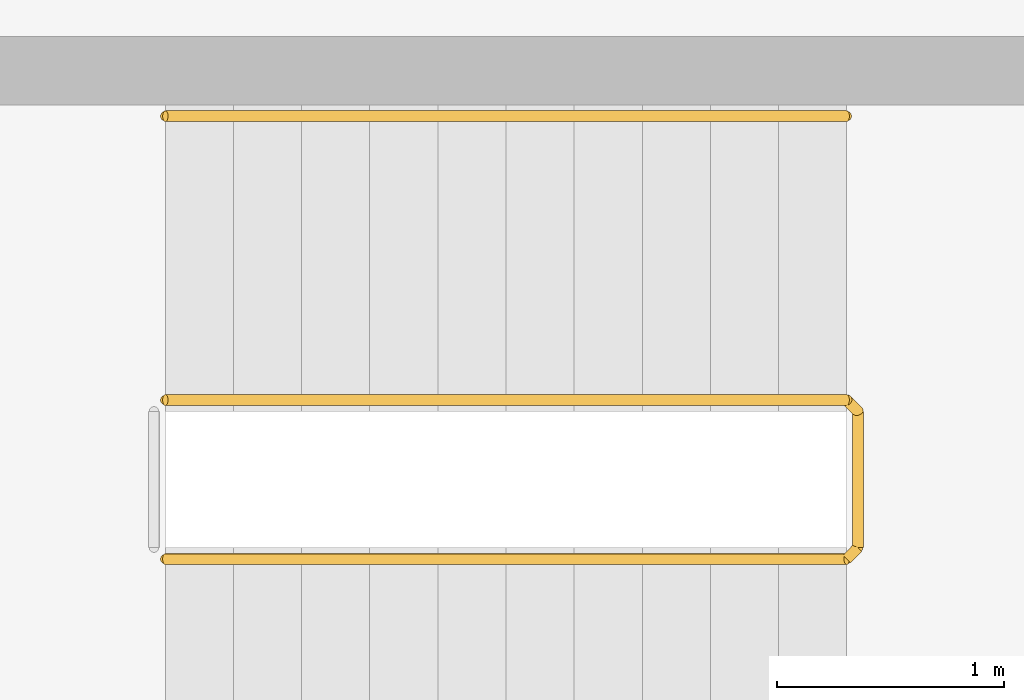
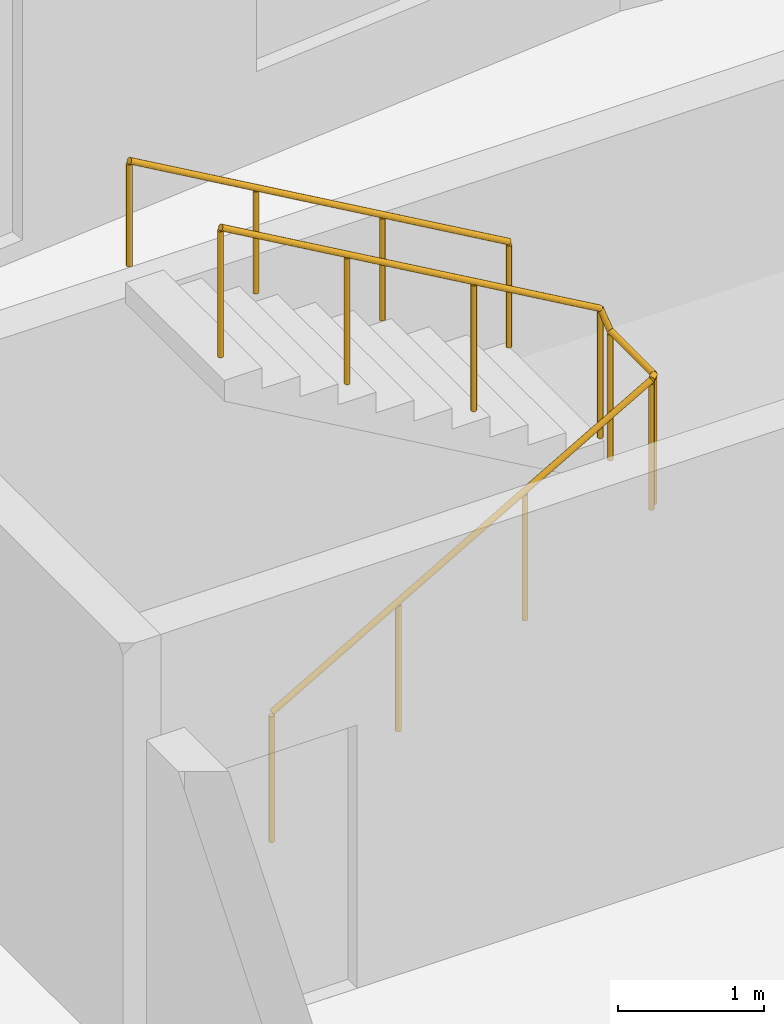
# One storey, part 10 of 10: 2 railings.
"""IFC4 building model written with IfcOpenShell, lengths in metres."""

from ifc_helpers import new_model, si_unit, direction, frame, origin, origin_2d, place, context, subcontext, project, spatial, circle, extrude, material, type_object, element, save


model = new_model("IFC4")

# Units and contexts
model_context = context("Model", 3, precision=1e-05, world=origin(), true_north=direction((0.0, 1.0)))
body_context = subcontext(model_context, "Body", "Model", "MODEL_VIEW")
ifc_project = project(units=[si_unit("LENGTHUNIT", "METRE"), si_unit("AREAUNIT", "SQUARE_METRE"), si_unit("VOLUMEUNIT", "CUBIC_METRE"), si_unit("PLANEANGLEUNIT", "RADIAN"), si_unit("MASSUNIT", "GRAM", prefix="KILO")], contexts=[model_context])

# Site, building, storey
site_placement = place(None, origin())
site = spatial("IfcSite", under=ifc_project, at=site_placement, CompositionType="ELEMENT")
building_placement = place(site_placement, origin())
building = spatial("IfcBuilding", under=site, at=building_placement, Name="Brondeck Convention Tower", CompositionType="ELEMENT")
storey_placement = place(building_placement, frame((0.0, 0.0, 162.39990234375)))
storey = spatial("IfcBuildingStorey", under=building, at=storey_placement, Name="L39", CompositionType="ELEMENT", Elevation=162.39990234375)

# Railings
ifc_material = material(Name="Steel S355", Category="steel")
railing_type_1 = type_object("IfcRailingType", Name="Stair guard 1100", PredefinedType="GUARDRAIL", material=ifc_material)
railing_1_placement = place(storey_placement, frame((37.85009765625, 55.449951171875, 0.1728515625)))
element("IfcRailing", 1, at=railing_1_placement, inside=storey, type_object=railing_type_1, Name="L39 ST-AE stair guard 1", PredefinedType="GUARDRAIL", context=body_context, shape_type="SweptSolid", body=[
    extrude(circle(Radius=0.02392578125, at=origin_2d()), frame((0.0, 0.0, 1.076171875), z_axis=(0.866619684472, 0.0, 0.498969260062), x_axis=(0.0, 1.0, 0.0)), (0.0, 0.0, 1.0), 3.461669921875),
    extrude(circle(Radius=0.02392578125, at=origin_2d()), frame((3.0, 0.0, 2.80322265625), z_axis=(0.705375805398, 0.708833529934, 0.0), x_axis=(-0.708833529934, 0.705375805398, 0.0)), (0.0, 0.0, 1.0), 0.070556640625),
    extrude(circle(Radius=0.02392578125, at=origin_2d()), frame((3.0498046875, 0.050048828125, 2.80322265625), z_axis=(0.0, 1.0, 0.0), x_axis=(-1.0, 0.0, 0.0)), (0.0, 0.0, 1.0), 0.60009765625),
    extrude(circle(Radius=0.02392578125, at=origin_2d()), frame((3.0498046875, 0.650146484375, 2.80322265625), z_axis=(-0.26715648603, 0.26715648603, 0.925880566782), x_axis=(-0.707106781187, -0.707106781187, 0.0)), (0.0, 0.0, 1.0), 0.1865234375),
    extrude(circle(Radius=0.02392578125, at=origin_2d()), frame((3.0, 0.699951171875, 2.97607421875), z_axis=(-0.866619684472, 0.0, 0.498969260062), x_axis=(0.0, -1.0, 0.0)), (0.0, 0.0, 1.0), 3.461669921875),
    extrude(circle(Radius=0.02099609375, at=origin_2d()), origin(), (0.0, 0.0, 1.0), 1.052001953125),
    extrude(circle(Radius=0.02099609375, at=origin_2d()), frame((1.0, 0.0, 0.57568359375)), (0.0, 0.0, 1.0), 1.052001953125),
    extrude(circle(Radius=0.02099609375, at=origin_2d()), frame((2.0, 0.0, 1.151611328125)), (0.0, 0.0, 1.0), 1.052001953125),
    extrude(circle(Radius=0.02099609375, at=origin_2d()), frame((3.0, 0.0, 1.727294921875)), (0.0, 0.0, 1.0), 1.052001953125),
    extrude(circle(Radius=0.02099609375, at=origin_2d()), frame((3.0498046875, 0.050048828125, 1.727294921875)), (0.0, 0.0, 1.0), 1.052001953125),
    extrude(circle(Radius=0.02099609375, at=origin_2d()), frame((3.0498046875, 0.650146484375, 1.727294921875)), (0.0, 0.0, 1.0), 1.052001953125),
    extrude(circle(Radius=0.02099609375, at=origin_2d()), frame((3.0, 0.699951171875, 1.89990234375)), (0.0, 0.0, 1.0), 1.052001953125),
    extrude(circle(Radius=0.02099609375, at=origin_2d()), frame((2.0, 0.699951171875, 2.4755859375)), (0.0, 0.0, 1.0), 1.052001953125),
    extrude(circle(Radius=0.02099609375, at=origin_2d()), frame((1.0, 0.699951171875, 3.051513671875)), (0.0, 0.0, 1.0), 1.052001953125),
    extrude(circle(Radius=0.02099609375, at=origin_2d()), frame((0.0, 0.699951171875, 3.627197265625)), (0.0, 0.0, 1.0), 1.052001953125),
])
railing_type_2 = type_object("IfcRailingType", Name="Stair handrail", PredefinedType="HANDRAIL", material=ifc_material)
railing_2_placement = place(storey_placement, frame((40.85009765625, 57.39990234375, 2.07275390625)))
element("IfcRailing", 2, at=railing_2_placement, inside=storey, type_object=railing_type_2, Name="L39 ST-AE stair handrail 2", PredefinedType="HANDRAIL", context=body_context, shape_type="SweptSolid", body=[
    extrude(circle(Radius=0.02392578125, at=origin_2d()), frame((0.0, 0.0, 0.8759765625), z_axis=(-0.866619684472, 0.0, 0.498969260062), x_axis=(0.0, -1.0, 0.0)), (0.0, 0.0, 1.0), 3.461669921875),
    extrude(circle(Radius=0.02099609375, at=origin_2d()), origin(), (0.0, 0.0, 1.0), 0.851806640625),
    extrude(circle(Radius=0.02099609375, at=origin_2d()), frame((-1.0, 0.0, 0.57568359375)), (0.0, 0.0, 1.0), 0.851806640625),
    extrude(circle(Radius=0.02099609375, at=origin_2d()), frame((-2.0, 0.0, 1.151611328125)), (0.0, 0.0, 1.0), 0.851806640625),
    extrude(circle(Radius=0.02099609375, at=origin_2d()), frame((-3.0, 0.0, 1.727294921875)), (0.0, 0.0, 1.0), 0.851806640625),
])

save(model, "model.ifc")
